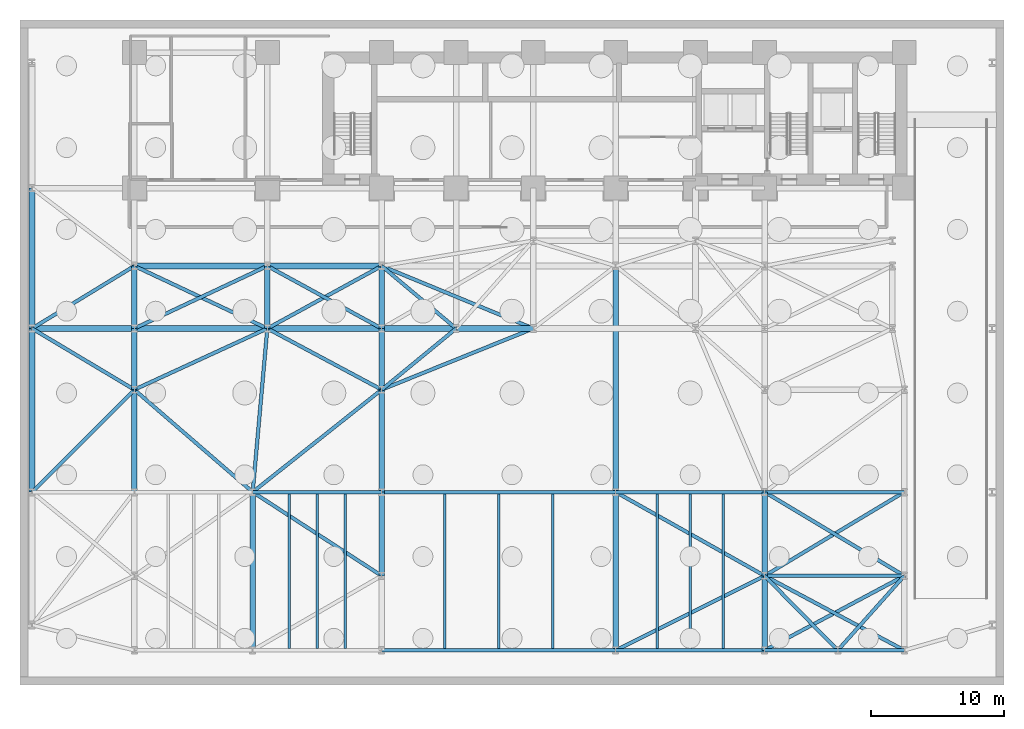
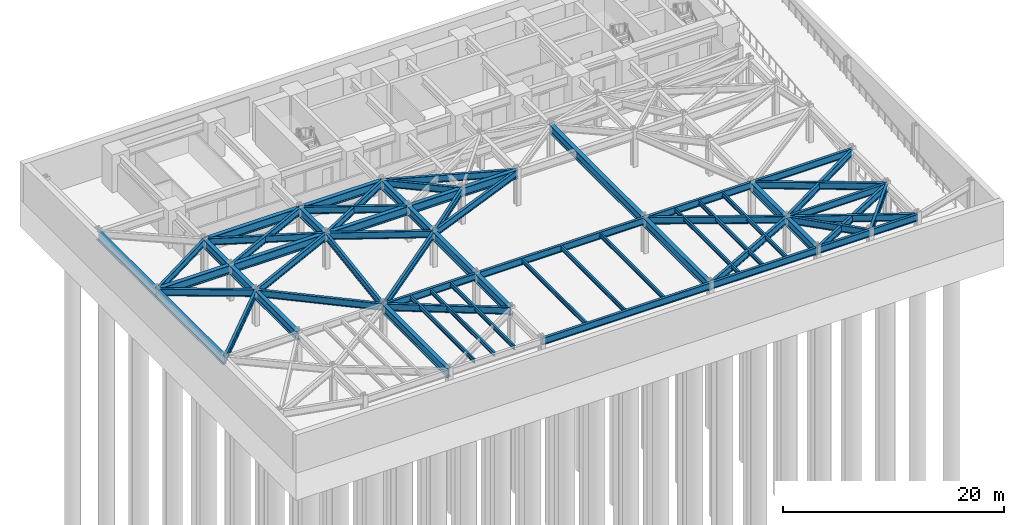
# One storey, part 2 of 12: 65 beams.
"""IFC4 building model written with IfcOpenShell, lengths in metres."""

from ifc_helpers import new_model, si_unit, direction, frame, origin, origin_2d, place, context, subcontext, project, spatial, i_section, extrude, material, material_profile, profile_set, type_object, element, save


model = new_model("IFC4")

# Units and contexts
model_context = context("Model", 3, precision=1e-05, world=origin(), true_north=direction((0.0, 1.0)))
body_context = subcontext(model_context, "Body", "Model", "MODEL_VIEW")
ifc_project = project(units=[si_unit("LENGTHUNIT", "METRE"), si_unit("AREAUNIT", "SQUARE_METRE"), si_unit("VOLUMEUNIT", "CUBIC_METRE"), si_unit("PLANEANGLEUNIT", "RADIAN"), si_unit("MASSUNIT", "GRAM", prefix="KILO")], contexts=[model_context])

# Site, building, storey
site_placement = place(None, origin())
site = spatial("IfcSite", under=ifc_project, at=site_placement, CompositionType="ELEMENT")
building_placement = place(site_placement, origin())
building = spatial("IfcBuilding", under=site, at=building_placement, Name="Kravanh Interchange Tower", CompositionType="ELEMENT")
storey_placement = place(building_placement, frame((0.0, 0.0, -8.39990234375)))
storey = spatial("IfcBuildingStorey", under=building, at=storey_placement, Name="B2", CompositionType="ELEMENT", Elevation=-8.39990234375)

# Beams
ifc_material_1 = material(Name="Structural Steel S450", Category="steel")
ifc_material_profile_1 = material_profile(ifc_material_1, i_section(OverallWidth=0.423095703125, OverallDepth=0.947998046875, WebThickness=0.02392578125, FlangeThickness=0.042724609375, FilletRadius=0.028076171875, at=origin_2d()), Name="W36X302")
ifc_profile_set_1 = profile_set([ifc_material_profile_1], Name="Structural Steel S450")
beam_type_1 = type_object("IfcBeamType", Name="Floor Beam W36X302 Structural Steel S450", PredefinedType="BEAM", material=ifc_profile_set_1)
for number, where, z_axis, x_axis, name in (
    (1, (17.5, 2.60009765625, 3.42578125), (0.0, 1.0, 0.0), (-1.0, 0.0, 0.0), "B2 Primary Floor Girder 7"),
    (2, (44.800048828125, 2.60009765625, 3.42578125), (0.0, 1.0, 0.0), (-1.0, 0.0, 0.0), "B2 Primary Floor Girder 11"),
):
    element("IfcBeam", number, at=place(storey_placement, frame(where, z_axis=z_axis, x_axis=x_axis)), inside=storey, type_object=beam_type_1, Name=name, PredefinedType="BEAM", context=body_context, shape_type="SweptSolid", body=[
        extrude(i_section(OverallWidth=0.423095703125, OverallDepth=0.947998046875, WebThickness=0.02392578125, FlangeThickness=0.042724609375, FilletRadius=0.028076171875, at=origin_2d()), origin(), (0.0, 0.0, 1.0), 11.89990234375),
    ])
beam_1_placement = place(storey_placement, frame((56.0, 2.60009765625, 3.42578125), z_axis=(0.0, 1.0, 0.0), x_axis=(-1.0, 0.0, 0.0)))
element("IfcBeam", 3, at=beam_1_placement, inside=storey, type_object=beam_type_1, Name="B2 Primary Floor Girder 14", PredefinedType="BEAM", context=body_context, shape_type="SweptSolid", body=[
    extrude(i_section(OverallWidth=0.423095703125, OverallDepth=0.947998046875, WebThickness=0.02392578125, FlangeThickness=0.042724609375, FilletRadius=0.028076171875, at=origin_2d()), origin(), (0.0, 0.0, 1.0), 5.599853515625),
])
for number, where, z_axis, x_axis, name in (
    (4, (27.199951171875, 8.199951171875, 3.42578125), (0.0, 1.0, 0.0), (-1.0, 0.0, 0.0), "B2 Primary Floor Girder 27"),
    (5, (56.0, 8.199951171875, 3.42578125), (0.0, 1.0, 0.0), (-1.0, 0.0, 0.0), "B2 Primary Floor Girder 29"),
):
    element("IfcBeam", number, at=place(storey_placement, frame(where, z_axis=z_axis, x_axis=x_axis)), inside=storey, type_object=beam_type_1, Name=name, PredefinedType="BEAM", context=body_context, shape_type="SweptSolid", body=[
        extrude(i_section(OverallWidth=0.423095703125, OverallDepth=0.947998046875, WebThickness=0.02392578125, FlangeThickness=0.042724609375, FilletRadius=0.028076171875, at=origin_2d()), origin(), (0.0, 0.0, 1.0), 6.300048828125),
    ])
for number, where, z_axis, x_axis, name in (
    (6, (8.60009765625, 14.5, 3.42578125), (0.0, 1.0, 0.0), (-1.0, 0.0, 0.0), "B2 Primary Floor Girder 37"),
    (7, (27.199951171875, 14.5, 3.42578125), (0.0, 1.0, 0.0), (-1.0, 0.0, 0.0), "B2 Primary Floor Girder 45"),
):
    element("IfcBeam", number, at=place(storey_placement, frame(where, z_axis=z_axis, x_axis=x_axis)), inside=storey, type_object=beam_type_1, Name=name, PredefinedType="BEAM", context=body_context, shape_type="SweptSolid", body=[
        extrude(i_section(OverallWidth=0.423095703125, OverallDepth=0.947998046875, WebThickness=0.02392578125, FlangeThickness=0.042724609375, FilletRadius=0.028076171875, at=origin_2d()), origin(), (0.0, 0.0, 1.0), 7.699951171875),
    ])
beam_2_placement = place(storey_placement, frame((44.800048828125, 14.5, 3.42578125), z_axis=(0.0, 1.0, 0.0), x_axis=(-1.0, 0.0, 0.0)))
element("IfcBeam", 8, at=beam_2_placement, inside=storey, type_object=beam_type_1, Name="B2 Primary Floor Girder 48", PredefinedType="BEAM", context=body_context, shape_type="SweptSolid", body=[
    extrude(i_section(OverallWidth=0.423095703125, OverallDepth=0.947998046875, WebThickness=0.02392578125, FlangeThickness=0.042724609375, FilletRadius=0.028076171875, at=origin_2d()), origin(), (0.0, 0.0, 1.0), 17.0),
])
for number, where, z_axis, x_axis, name in (
    (9, (8.60009765625, 22.199951171875, 3.42578125), (0.0, 1.0, 0.0), (-1.0, 0.0, 0.0), "B2 Primary Floor Girder 57"),
    (10, (27.199951171875, 22.199951171875, 3.42578125), (0.0, 1.0, 0.0), (-1.0, 0.0, 0.0), "B2 Primary Floor Girder 61"),
):
    element("IfcBeam", number, at=place(storey_placement, frame(where, z_axis=z_axis, x_axis=x_axis)), inside=storey, type_object=beam_type_1, Name=name, PredefinedType="BEAM", context=body_context, shape_type="SweptSolid", body=[
        extrude(i_section(OverallWidth=0.423095703125, OverallDepth=0.947998046875, WebThickness=0.02392578125, FlangeThickness=0.042724609375, FilletRadius=0.028076171875, at=origin_2d()), origin(), (0.0, 0.0, 1.0), 4.60009765625),
    ])
beam_3_placement = place(storey_placement, frame((8.60009765625, 26.800048828125, 3.42578125), z_axis=(0.0, 1.0, 0.0), x_axis=(-1.0, 0.0, 0.0)))
element("IfcBeam", 11, at=beam_3_placement, inside=storey, type_object=beam_type_1, Name="B2 Primary Floor Girder 73", PredefinedType="BEAM", context=body_context, shape_type="SweptSolid", body=[
    extrude(i_section(OverallWidth=0.423095703125, OverallDepth=0.947998046875, WebThickness=0.02392578125, FlangeThickness=0.042724609375, FilletRadius=0.028076171875, at=origin_2d()), origin(), (0.0, 0.0, 1.0), 4.699951171875),
])
beam_4_placement = place(storey_placement, frame((8.60009765625, 26.800048828125, 3.42578125), z_axis=(-1.0, 0.0, 0.0), x_axis=(0.0, -1.0, 0.0)))
element("IfcBeam", 12, at=beam_4_placement, inside=storey, type_object=beam_type_1, Name="B2 Primary Floor Girder 74", PredefinedType="BEAM", context=body_context, shape_type="SweptSolid", body=[
    extrude(i_section(OverallWidth=0.423095703125, OverallDepth=0.947998046875, WebThickness=0.02392578125, FlangeThickness=0.042724609375, FilletRadius=0.028076171875, at=origin_2d()), origin(), (0.0, 0.0, 1.0), 7.7001953125),
])
beam_5_placement = place(storey_placement, frame((8.60009765625, 26.800048828125, 3.42578125), z_axis=(1.0, 0.0, 0.0), x_axis=(0.0, 1.0, 0.0)))
element("IfcBeam", 13, at=beam_5_placement, inside=storey, type_object=beam_type_1, Name="B2 Primary Floor Girder 75", PredefinedType="BEAM", context=body_context, shape_type="SweptSolid", body=[
    extrude(i_section(OverallWidth=0.423095703125, OverallDepth=0.947998046875, WebThickness=0.02392578125, FlangeThickness=0.042724609375, FilletRadius=0.028076171875, at=origin_2d()), origin(), (0.0, 0.0, 1.0), 10.0),
])
beam_6_placement = place(storey_placement, frame((18.60009765625, 26.800048828125, 3.42578125), z_axis=(0.0, 1.0, 0.0), x_axis=(-1.0, 0.0, 0.0)))
element("IfcBeam", 14, at=beam_6_placement, inside=storey, type_object=beam_type_1, Name="B2 Primary Floor Girder 77", PredefinedType="BEAM", context=body_context, shape_type="SweptSolid", body=[
    extrude(i_section(OverallWidth=0.423095703125, OverallDepth=0.947998046875, WebThickness=0.02392578125, FlangeThickness=0.042724609375, FilletRadius=0.028076171875, at=origin_2d()), origin(), (0.0, 0.0, 1.0), 4.699951171875),
])
beam_7_placement = place(storey_placement, frame((18.60009765625, 26.800048828125, 3.42578125), z_axis=(1.0, 0.0, 0.0), x_axis=(0.0, 1.0, 0.0)))
element("IfcBeam", 15, at=beam_7_placement, inside=storey, type_object=beam_type_1, Name="B2 Primary Floor Girder 78", PredefinedType="BEAM", context=body_context, shape_type="SweptSolid", body=[
    extrude(i_section(OverallWidth=0.423095703125, OverallDepth=0.947998046875, WebThickness=0.02392578125, FlangeThickness=0.042724609375, FilletRadius=0.028076171875, at=origin_2d()), origin(), (0.0, 0.0, 1.0), 8.599853515625),
])
beam_8_placement = place(storey_placement, frame((27.199951171875, 26.800048828125, 3.42578125), z_axis=(0.0, 1.0, 0.0), x_axis=(-1.0, 0.0, 0.0)))
element("IfcBeam", 16, at=beam_8_placement, inside=storey, type_object=beam_type_1, Name="B2 Primary Floor Girder 81", PredefinedType="BEAM", context=body_context, shape_type="SweptSolid", body=[
    extrude(i_section(OverallWidth=0.423095703125, OverallDepth=0.947998046875, WebThickness=0.02392578125, FlangeThickness=0.042724609375, FilletRadius=0.028076171875, at=origin_2d()), origin(), (0.0, 0.0, 1.0), 4.699951171875),
])
beam_9_placement = place(storey_placement, frame((27.199951171875, 26.800048828125, 3.42578125), z_axis=(1.0, 0.0, 0.0), x_axis=(0.0, 1.0, 0.0)))
element("IfcBeam", 17, at=beam_9_placement, inside=storey, type_object=beam_type_1, Name="B2 Primary Floor Girder 82", PredefinedType="BEAM", context=body_context, shape_type="SweptSolid", body=[
    extrude(i_section(OverallWidth=0.423095703125, OverallDepth=0.947998046875, WebThickness=0.02392578125, FlangeThickness=0.042724609375, FilletRadius=0.028076171875, at=origin_2d()), origin(), (0.0, 0.0, 1.0), 5.60009765625),
])
beam_10_placement = place(storey_placement, frame((32.800048828125, 26.800048828125, 3.42578125), z_axis=(1.0, 0.0, 0.0), x_axis=(0.0, 1.0, 0.0)))
element("IfcBeam", 18, at=beam_10_placement, inside=storey, type_object=beam_type_1, Name="B2 Primary Floor Girder 85", PredefinedType="BEAM", context=body_context, shape_type="SweptSolid", body=[
    extrude(i_section(OverallWidth=0.423095703125, OverallDepth=0.947998046875, WebThickness=0.02392578125, FlangeThickness=0.042724609375, FilletRadius=0.028076171875, at=origin_2d()), origin(), (0.0, 0.0, 1.0), 5.800048828125),
])
beam_11_placement = place(storey_placement, frame((8.60009765625, 31.5, 3.42578125), z_axis=(1.0, 0.0, 0.0), x_axis=(0.0, 1.0, 0.0)))
element("IfcBeam", 19, at=beam_11_placement, inside=storey, type_object=beam_type_1, Name="B2 Primary Floor Girder 107", PredefinedType="BEAM", context=body_context, shape_type="SweptSolid", body=[
    extrude(i_section(OverallWidth=0.423095703125, OverallDepth=0.947998046875, WebThickness=0.02392578125, FlangeThickness=0.042724609375, FilletRadius=0.028076171875, at=origin_2d()), origin(), (0.0, 0.0, 1.0), 10.0),
])
beam_12_placement = place(storey_placement, frame((18.60009765625, 31.5, 3.42578125), z_axis=(1.0, 0.0, 0.0), x_axis=(0.0, 1.0, 0.0)))
element("IfcBeam", 20, at=beam_12_placement, inside=storey, type_object=beam_type_1, Name="B2 Primary Floor Girder 109", PredefinedType="BEAM", context=body_context, shape_type="SweptSolid", body=[
    extrude(i_section(OverallWidth=0.423095703125, OverallDepth=0.947998046875, WebThickness=0.02392578125, FlangeThickness=0.042724609375, FilletRadius=0.028076171875, at=origin_2d()), origin(), (0.0, 0.0, 1.0), 8.599853515625),
])
beam_13_placement = place(storey_placement, frame((0.89990234375, 14.5, 3.42578125), z_axis=(0.0, 1.0, 0.0), x_axis=(-1.0, 0.0, 0.0)))
element("IfcBeam", 21, at=beam_13_placement, inside=storey, type_object=beam_type_1, Name="B2 Primary Floor Girder 123", PredefinedType="BEAM", context=body_context, shape_type="SweptSolid", body=[
    extrude(i_section(OverallWidth=0.423095703125, OverallDepth=0.947998046875, WebThickness=0.02392578125, FlangeThickness=0.042724609375, FilletRadius=0.028076171875, at=origin_2d()), origin(), (0.0, 0.0, 1.0), 12.300048828125),
])
beam_14_placement = place(storey_placement, frame((0.89990234375, 26.800048828125, 3.42578125), z_axis=(0.0, 1.0, 0.0), x_axis=(-1.0, 0.0, 0.0)))
element("IfcBeam", 22, at=beam_14_placement, inside=storey, type_object=beam_type_1, Name="B2 Primary Floor Girder 124", PredefinedType="BEAM", context=body_context, shape_type="SweptSolid", body=[
    extrude(i_section(OverallWidth=0.423095703125, OverallDepth=0.947998046875, WebThickness=0.02392578125, FlangeThickness=0.042724609375, FilletRadius=0.028076171875, at=origin_2d()), origin(), (0.0, 0.0, 1.0), 10.550048828125),
])
ifc_material_2 = material(Name="Structural Steel S355", Category="steel")
ifc_material_profile_2 = material_profile(ifc_material_2, i_section(OverallWidth=0.18994140625, OverallDepth=0.45703125, WebThickness=0.009033203125, FlangeThickness=0.014404296875, FilletRadius=0.01806640625, at=origin_2d()), Name="W18X50")
ifc_profile_set_2 = profile_set([ifc_material_profile_2], Name="Structural Steel S355")
beam_type_2 = type_object("IfcBeamType", Name="Floor Joist W18X50 Structural Steel S355", PredefinedType="JOIST", material=ifc_profile_set_2)
for number, where, z_axis, x_axis, name in (
    (23, (20.25, 2.728515625, 3.67138671875), (0.0, 1.0, 0.0), (-1.0, 0.0, 0.0), "B2 Secondary Floor Joist 4"),
    (24, (22.35009765625, 2.728515625, 3.67138671875), (0.0, 1.0, 0.0), (-1.0, 0.0, 0.0), "B2 Secondary Floor Joist 5"),
    (25, (24.449951171875, 2.728515625, 3.67138671875), (0.0, 1.0, 0.0), (-1.0, 0.0, 0.0), "B2 Secondary Floor Joist 6"),
    (26, (31.925048828125, 2.728515625, 3.67138671875), (0.0, 1.0, 0.0), (-1.0, 0.0, 0.0), "B2 Secondary Floor Joist 7"),
    (27, (36.0, 2.728515625, 3.67138671875), (0.0, 1.0, 0.0), (-1.0, 0.0, 0.0), "B2 Secondary Floor Joist 8"),
    (28, (40.074951171875, 2.728515625, 3.67138671875), (0.0, 1.0, 0.0), (-1.0, 0.0, 0.0), "B2 Secondary Floor Joist 9"),
    (29, (47.925048828125, 2.728515625, 3.67138671875), (0.0, 1.0, 0.0), (-1.0, 0.0, 0.0), "B2 Secondary Floor Joist 10"),
    (30, (50.39990234375, 2.728515625, 3.67138671875), (0.0, 1.0, 0.0), (-1.0, 0.0, 0.0), "B2 Secondary Floor Joist 11"),
    (31, (52.875, 2.728515625, 3.67138671875), (0.0, 1.0, 0.0), (-1.0, 0.0, 0.0), "B2 Secondary Floor Joist 12"),
):
    element("IfcBeam", number, at=place(storey_placement, frame(where, z_axis=z_axis, x_axis=x_axis)), inside=storey, type_object=beam_type_2, Name=name, PredefinedType="JOIST", context=body_context, shape_type="SweptSolid", body=[
        extrude(i_section(OverallWidth=0.18994140625, OverallDepth=0.45703125, WebThickness=0.009033203125, FlangeThickness=0.014404296875, FilletRadius=0.01806640625, at=origin_2d()), origin(), (0.0, 0.0, 1.0), 11.64306640625),
    ])
ifc_material_3 = material(Name="Structural Steel S355", Category="steel")
ifc_material_profile_3 = material_profile(ifc_material_3, i_section(OverallWidth=0.26708984375, OverallDepth=0.761962890625, WebThickness=0.014404296875, FlangeThickness=0.021484375, FilletRadius=0.02490234375, at=origin_2d()), Name="W30X116")
ifc_profile_set_3 = profile_set([ifc_material_profile_3], Name="Structural Steel S355")
beam_type_3 = type_object("IfcBeamType", Name="Floor Spandrel W30X116 Structural Steel S355", PredefinedType="SPANDREL", material=ifc_profile_set_3)
beam_15_placement = place(storey_placement, frame((27.199951171875, 2.60009765625, 3.518798828125), z_axis=(1.0, 0.0, 0.0), x_axis=(0.0, 1.0, 0.0)))
element("IfcBeam", 32, at=beam_15_placement, inside=storey, type_object=beam_type_3, Name="B2 Perimeter Spandrel 9", PredefinedType="SPANDREL", context=body_context, shape_type="SweptSolid", body=[
    extrude(i_section(OverallWidth=0.26708984375, OverallDepth=0.761962890625, WebThickness=0.014404296875, FlangeThickness=0.021484375, FilletRadius=0.02490234375, at=origin_2d()), origin(), (0.0, 0.0, 1.0), 17.60009765625),
])
beam_16_placement = place(storey_placement, frame((44.800048828125, 2.60009765625, 3.518798828125), z_axis=(1.0, 0.0, 0.0), x_axis=(0.0, 1.0, 0.0)))
element("IfcBeam", 33, at=beam_16_placement, inside=storey, type_object=beam_type_3, Name="B2 Perimeter Spandrel 10", PredefinedType="SPANDREL", context=body_context, shape_type="SweptSolid", body=[
    extrude(i_section(OverallWidth=0.26708984375, OverallDepth=0.761962890625, WebThickness=0.014404296875, FlangeThickness=0.021484375, FilletRadius=0.02490234375, at=origin_2d()), origin(), (0.0, 0.0, 1.0), 11.199951171875),
])
beam_17_placement = place(storey_placement, frame((44.800048828125, 2.60009765625, 3.518798828125), z_axis=(0.894431090393, 0.447205796629, 0.0), x_axis=(-0.447205796629, 0.894431090393, 0.0)))
element("IfcBeam", 34, at=beam_17_placement, inside=storey, type_object=beam_type_3, Name="B2 Perimeter Spandrel 12", PredefinedType="SPANDREL", context=body_context, shape_type="SweptSolid", body=[
    extrude(i_section(OverallWidth=0.26708984375, OverallDepth=0.761962890625, WebThickness=0.014404296875, FlangeThickness=0.021484375, FilletRadius=0.02490234375, at=origin_2d()), origin(), (0.0, 0.0, 1.0), 12.52197265625),
])
beam_18_placement = place(storey_placement, frame((56.0, 2.60009765625, 3.518798828125), z_axis=(1.0, 0.0, 0.0), x_axis=(0.0, 1.0, 0.0)))
element("IfcBeam", 35, at=beam_18_placement, inside=storey, type_object=beam_type_3, Name="B2 Perimeter Spandrel 13", PredefinedType="SPANDREL", context=body_context, shape_type="SweptSolid", body=[
    extrude(i_section(OverallWidth=0.26708984375, OverallDepth=0.761962890625, WebThickness=0.014404296875, FlangeThickness=0.021484375, FilletRadius=0.02490234375, at=origin_2d()), origin(), (0.0, 0.0, 1.0), 5.5),
])
beam_19_placement = place(storey_placement, frame((56.0, 2.60009765625, 3.518798828125), z_axis=(0.882358052411, 0.470578651603, 0.0), x_axis=(-0.470578651603, 0.882358052411, 0.0)))
element("IfcBeam", 36, at=beam_19_placement, inside=storey, type_object=beam_type_3, Name="B2 Perimeter Spandrel 15", PredefinedType="SPANDREL", context=body_context, shape_type="SweptSolid", body=[
    extrude(i_section(OverallWidth=0.26708984375, OverallDepth=0.761962890625, WebThickness=0.014404296875, FlangeThickness=0.021484375, FilletRadius=0.02490234375, at=origin_2d()), origin(), (0.0, 0.0, 1.0), 11.89990234375),
])
beam_20_placement = place(storey_placement, frame((61.5, 2.60009765625, 3.518798828125), z_axis=(1.0, 0.0, 0.0), x_axis=(0.0, 1.0, 0.0)))
element("IfcBeam", 37, at=beam_20_placement, inside=storey, type_object=beam_type_3, Name="B2 Perimeter Spandrel 16", PredefinedType="SPANDREL", context=body_context, shape_type="SweptSolid", body=[
    extrude(i_section(OverallWidth=0.26708984375, OverallDepth=0.761962890625, WebThickness=0.014404296875, FlangeThickness=0.021484375, FilletRadius=0.02490234375, at=origin_2d()), origin(), (0.0, 0.0, 1.0), 5.0),
])
beam_21_placement = place(storey_placement, frame((61.5, 2.60009765625, 3.518798828125), z_axis=(0.666025463167, 0.745929006282, 0.0), x_axis=(-0.745929006282, 0.666025463167, 0.0)))
element("IfcBeam", 38, at=beam_21_placement, inside=storey, type_object=beam_type_3, Name="B2 Perimeter Spandrel 17", PredefinedType="SPANDREL", context=body_context, shape_type="SweptSolid", body=[
    extrude(i_section(OverallWidth=0.26708984375, OverallDepth=0.761962890625, WebThickness=0.014404296875, FlangeThickness=0.021484375, FilletRadius=0.02490234375, at=origin_2d()), origin(), (0.0, 0.0, 1.0), 7.50732421875),
])
beam_22_placement = place(storey_placement, frame((61.5, 2.60009765625, 3.518798828125), z_axis=(-0.700717344595, 0.71343899738, 0.0), x_axis=(-0.71343899738, -0.700717344595, 0.0)))
element("IfcBeam", 39, at=beam_22_placement, inside=storey, type_object=beam_type_3, Name="B2 Perimeter Spandrel 18", PredefinedType="SPANDREL", context=body_context, shape_type="SweptSolid", body=[
    extrude(i_section(OverallWidth=0.26708984375, OverallDepth=0.761962890625, WebThickness=0.014404296875, FlangeThickness=0.021484375, FilletRadius=0.02490234375, at=origin_2d()), origin(), (0.0, 0.0, 1.0), 7.84912109375),
])
beam_23_placement = place(storey_placement, frame((66.5, 2.60009765625, 3.518798828125), z_axis=(-0.882358052411, 0.470578651603, 0.0), x_axis=(-0.470578651603, -0.882358052411, 0.0)))
element("IfcBeam", 40, at=beam_23_placement, inside=storey, type_object=beam_type_3, Name="B2 Perimeter Spandrel 22", PredefinedType="SPANDREL", context=body_context, shape_type="SweptSolid", body=[
    extrude(i_section(OverallWidth=0.26708984375, OverallDepth=0.761962890625, WebThickness=0.014404296875, FlangeThickness=0.021484375, FilletRadius=0.02490234375, at=origin_2d()), origin(), (0.0, 0.0, 1.0), 11.89990234375),
])
beam_24_placement = place(storey_placement, frame((27.199951171875, 8.199951171875, 3.518798828125), z_axis=(-0.838637911458, 0.544689318295, 0.0), x_axis=(-0.544689318295, -0.838637911458, 0.0)))
element("IfcBeam", 41, at=beam_24_placement, inside=storey, type_object=beam_type_3, Name="B2 Perimeter Spandrel 28", PredefinedType="SPANDREL", context=body_context, shape_type="SweptSolid", body=[
    extrude(i_section(OverallWidth=0.26708984375, OverallDepth=0.761962890625, WebThickness=0.014404296875, FlangeThickness=0.021484375, FilletRadius=0.02490234375, at=origin_2d()), origin(), (0.0, 0.0, 1.0), 11.56640625),
])
beam_25_placement = place(storey_placement, frame((56.0, 8.199951171875, 3.518798828125), z_axis=(1.0, 0.0, 0.0), x_axis=(0.0, 1.0, 0.0)))
element("IfcBeam", 42, at=beam_25_placement, inside=storey, type_object=beam_type_3, Name="B2 Perimeter Spandrel 30", PredefinedType="SPANDREL", context=body_context, shape_type="SweptSolid", body=[
    extrude(i_section(OverallWidth=0.26708984375, OverallDepth=0.761962890625, WebThickness=0.014404296875, FlangeThickness=0.021484375, FilletRadius=0.02490234375, at=origin_2d()), origin(), (0.0, 0.0, 1.0), 10.5),
])
beam_26_placement = place(storey_placement, frame((56.0, 8.199951171875, 3.518798828125), z_axis=(0.857491166477, 0.514498687475, 0.0), x_axis=(-0.514498687475, 0.857491166477, 0.0)))
element("IfcBeam", 43, at=beam_26_placement, inside=storey, type_object=beam_type_3, Name="B2 Perimeter Spandrel 31", PredefinedType="SPANDREL", context=body_context, shape_type="SweptSolid", body=[
    extrude(i_section(OverallWidth=0.26708984375, OverallDepth=0.761962890625, WebThickness=0.014404296875, FlangeThickness=0.021484375, FilletRadius=0.02490234375, at=origin_2d()), origin(), (0.0, 0.0, 1.0), 12.2451171875),
])
beam_27_placement = place(storey_placement, frame((56.0, 8.199951171875, 3.518798828125), z_axis=(-0.871573000172, 0.490265749743, 0.0), x_axis=(-0.490265749743, -0.871573000172, 0.0)))
element("IfcBeam", 44, at=beam_27_placement, inside=storey, type_object=beam_type_3, Name="B2 Perimeter Spandrel 32", PredefinedType="SPANDREL", context=body_context, shape_type="SweptSolid", body=[
    extrude(i_section(OverallWidth=0.26708984375, OverallDepth=0.761962890625, WebThickness=0.014404296875, FlangeThickness=0.021484375, FilletRadius=0.02490234375, at=origin_2d()), origin(), (0.0, 0.0, 1.0), 12.850341796875),
])
beam_28_placement = place(storey_placement, frame((66.5, 8.199951171875, 3.518798828125), z_axis=(-0.857491166477, 0.514498687475, 0.0), x_axis=(-0.514498687475, -0.857491166477, 0.0)))
element("IfcBeam", 45, at=beam_28_placement, inside=storey, type_object=beam_type_3, Name="B2 Perimeter Spandrel 36", PredefinedType="SPANDREL", context=body_context, shape_type="SweptSolid", body=[
    extrude(i_section(OverallWidth=0.26708984375, OverallDepth=0.761962890625, WebThickness=0.014404296875, FlangeThickness=0.021484375, FilletRadius=0.02490234375, at=origin_2d()), origin(), (0.0, 0.0, 1.0), 12.2451171875),
])
beam_29_placement = place(storey_placement, frame((17.5, 14.5, 3.518798828125), z_axis=(1.0, 0.0, 0.0), x_axis=(0.0, 1.0, 0.0)))
element("IfcBeam", 46, at=beam_29_placement, inside=storey, type_object=beam_type_3, Name="B2 Perimeter Spandrel 41", PredefinedType="SPANDREL", context=body_context, shape_type="SweptSolid", body=[
    extrude(i_section(OverallWidth=0.26708984375, OverallDepth=0.761962890625, WebThickness=0.014404296875, FlangeThickness=0.021484375, FilletRadius=0.02490234375, at=origin_2d()), origin(), (0.0, 0.0, 1.0), 9.699951171875),
])
beam_30_placement = place(storey_placement, frame((17.5, 14.5, 3.518798828125), z_axis=(-0.756248034465, 0.654285037554, 0.0), x_axis=(-0.654285037554, -0.756248034465, 0.0)))
element("IfcBeam", 47, at=beam_30_placement, inside=storey, type_object=beam_type_3, Name="B2 Perimeter Spandrel 42", PredefinedType="SPANDREL", context=body_context, shape_type="SweptSolid", body=[
    extrude(i_section(OverallWidth=0.26708984375, OverallDepth=0.761962890625, WebThickness=0.014404296875, FlangeThickness=0.021484375, FilletRadius=0.02490234375, at=origin_2d()), origin(), (0.0, 0.0, 1.0), 11.7685546875),
])
beam_31_placement = place(storey_placement, frame((17.5, 14.5, 3.518798828125), z_axis=(0.089082890706, 0.996024215862, 0.0), x_axis=(-0.996024215862, 0.089082890706, 0.0)))
element("IfcBeam", 48, at=beam_31_placement, inside=storey, type_object=beam_type_3, Name="B2 Perimeter Spandrel 43", PredefinedType="SPANDREL", context=body_context, shape_type="SweptSolid", body=[
    extrude(i_section(OverallWidth=0.26708984375, OverallDepth=0.761962890625, WebThickness=0.014404296875, FlangeThickness=0.021484375, FilletRadius=0.02490234375, at=origin_2d()), origin(), (0.0, 0.0, 1.0), 12.34912109375),
])
beam_32_placement = place(storey_placement, frame((17.5, 14.5, 3.518798828125), z_axis=(0.78322688578, 0.621735993321, 0.0), x_axis=(-0.621735993321, 0.78322688578, 0.0)))
element("IfcBeam", 49, at=beam_32_placement, inside=storey, type_object=beam_type_3, Name="B2 Perimeter Spandrel 44", PredefinedType="SPANDREL", context=body_context, shape_type="SweptSolid", body=[
    extrude(i_section(OverallWidth=0.26708984375, OverallDepth=0.761962890625, WebThickness=0.014404296875, FlangeThickness=0.021484375, FilletRadius=0.02490234375, at=origin_2d()), origin(), (0.0, 0.0, 1.0), 12.384521484375),
])
beam_33_placement = place(storey_placement, frame((27.199951171875, 14.5, 3.518798828125), z_axis=(1.0, 0.0, 0.0), x_axis=(0.0, 1.0, 0.0)))
element("IfcBeam", 50, at=beam_33_placement, inside=storey, type_object=beam_type_3, Name="B2 Perimeter Spandrel 46", PredefinedType="SPANDREL", context=body_context, shape_type="SweptSolid", body=[
    extrude(i_section(OverallWidth=0.26708984375, OverallDepth=0.761962890625, WebThickness=0.014404296875, FlangeThickness=0.021484375, FilletRadius=0.02490234375, at=origin_2d()), origin(), (0.0, 0.0, 1.0), 17.60009765625),
])
beam_34_placement = place(storey_placement, frame((44.800048828125, 14.5, 3.518798828125), z_axis=(1.0, 0.0, 0.0), x_axis=(0.0, 1.0, 0.0)))
element("IfcBeam", 51, at=beam_34_placement, inside=storey, type_object=beam_type_3, Name="B2 Perimeter Spandrel 47", PredefinedType="SPANDREL", context=body_context, shape_type="SweptSolid", body=[
    extrude(i_section(OverallWidth=0.26708984375, OverallDepth=0.761962890625, WebThickness=0.014404296875, FlangeThickness=0.021484375, FilletRadius=0.02490234375, at=origin_2d()), origin(), (0.0, 0.0, 1.0), 11.199951171875),
])
beam_35_placement = place(storey_placement, frame((56.0, 14.5, 3.518798828125), z_axis=(1.0, 0.0, 0.0), x_axis=(0.0, 1.0, 0.0)))
element("IfcBeam", 52, at=beam_35_placement, inside=storey, type_object=beam_type_3, Name="B2 Perimeter Spandrel 50", PredefinedType="SPANDREL", context=body_context, shape_type="SweptSolid", body=[
    extrude(i_section(OverallWidth=0.26708984375, OverallDepth=0.761962890625, WebThickness=0.014404296875, FlangeThickness=0.021484375, FilletRadius=0.02490234375, at=origin_2d()), origin(), (0.0, 0.0, 1.0), 10.5),
])
beam_36_placement = place(storey_placement, frame((8.60009765625, 22.199951171875, 3.518798828125), z_axis=(-0.858476029739, 0.512853689041, 0.0), x_axis=(-0.512853689041, -0.858476029739, 0.0)))
element("IfcBeam", 53, at=beam_36_placement, inside=storey, type_object=beam_type_3, Name="B2 Perimeter Spandrel 58", PredefinedType="SPANDREL", context=body_context, shape_type="SweptSolid", body=[
    extrude(i_section(OverallWidth=0.26708984375, OverallDepth=0.761962890625, WebThickness=0.014404296875, FlangeThickness=0.021484375, FilletRadius=0.02490234375, at=origin_2d()), origin(), (0.0, 0.0, 1.0), 8.9697265625),
])
beam_37_placement = place(storey_placement, frame((8.60009765625, 22.199951171875, 3.518798828125), z_axis=(-0.707117990958, -0.707095571237, 0.0), x_axis=(0.707095571237, -0.707117990958, 0.0)))
element("IfcBeam", 54, at=beam_37_placement, inside=storey, type_object=beam_type_3, Name="B2 Perimeter Spandrel 59", PredefinedType="SPANDREL", context=body_context, shape_type="SweptSolid", body=[
    extrude(i_section(OverallWidth=0.26708984375, OverallDepth=0.761962890625, WebThickness=0.014404296875, FlangeThickness=0.021484375, FilletRadius=0.02490234375, at=origin_2d()), origin(), (0.0, 0.0, 1.0), 10.8896484375),
])
beam_38_placement = place(storey_placement, frame((8.60009765625, 22.199951171875, 3.518798828125), z_axis=(0.908487084298, 0.417912930721, 0.0), x_axis=(-0.417912930721, 0.908487084298, 0.0)))
element("IfcBeam", 55, at=beam_38_placement, inside=storey, type_object=beam_type_3, Name="B2 Perimeter Spandrel 60", PredefinedType="SPANDREL", context=body_context, shape_type="SweptSolid", body=[
    extrude(i_section(OverallWidth=0.26708984375, OverallDepth=0.761962890625, WebThickness=0.014404296875, FlangeThickness=0.021484375, FilletRadius=0.02490234375, at=origin_2d()), origin(), (0.0, 0.0, 1.0), 11.00732421875),
])
beam_39_placement = place(storey_placement, frame((27.199951171875, 22.199951171875, 3.518798828125), z_axis=(0.772725074305, 0.634740860147, 0.0), x_axis=(-0.634740860147, 0.772725074305, 0.0)))
element("IfcBeam", 56, at=beam_39_placement, inside=storey, type_object=beam_type_3, Name="B2 Perimeter Spandrel 62", PredefinedType="SPANDREL", context=body_context, shape_type="SweptSolid", body=[
    extrude(i_section(OverallWidth=0.26708984375, OverallDepth=0.761962890625, WebThickness=0.014404296875, FlangeThickness=0.021484375, FilletRadius=0.02490234375, at=origin_2d()), origin(), (0.0, 0.0, 1.0), 7.247314453125),
])
beam_40_placement = place(storey_placement, frame((27.199951171875, 22.199951171875, 3.518798828125), z_axis=(-0.881777136221, 0.471666282489, 0.0), x_axis=(-0.471666282489, -0.881777136221, 0.0)))
element("IfcBeam", 57, at=beam_40_placement, inside=storey, type_object=beam_type_3, Name="B2 Perimeter Spandrel 63", PredefinedType="SPANDREL", context=body_context, shape_type="SweptSolid", body=[
    extrude(i_section(OverallWidth=0.26708984375, OverallDepth=0.761962890625, WebThickness=0.014404296875, FlangeThickness=0.021484375, FilletRadius=0.02490234375, at=origin_2d()), origin(), (0.0, 0.0, 1.0), 9.7529296875),
])
beam_41_placement = place(storey_placement, frame((27.199951171875, 22.199951171875, 3.518798828125), z_axis=(0.927349344428, 0.374196730864, 0.0), x_axis=(-0.374196730864, 0.927349344428, 0.0)))
element("IfcBeam", 58, at=beam_41_placement, inside=storey, type_object=beam_type_3, Name="B2 Perimeter Spandrel 64", PredefinedType="SPANDREL", context=body_context, shape_type="SweptSolid", body=[
    extrude(i_section(OverallWidth=0.26708984375, OverallDepth=0.761962890625, WebThickness=0.014404296875, FlangeThickness=0.021484375, FilletRadius=0.02490234375, at=origin_2d()), origin(), (0.0, 0.0, 1.0), 12.293212890625),
])
beam_42_placement = place(storey_placement, frame((8.60009765625, 26.800048828125, 3.518798828125), z_axis=(0.905025402916, 0.425357520301, 0.0), x_axis=(-0.425357520301, 0.905025402916, 0.0)))
element("IfcBeam", 59, at=beam_42_placement, inside=storey, type_object=beam_type_3, Name="B2 Perimeter Spandrel 76", PredefinedType="SPANDREL", context=body_context, shape_type="SweptSolid", body=[
    extrude(i_section(OverallWidth=0.26708984375, OverallDepth=0.761962890625, WebThickness=0.014404296875, FlangeThickness=0.021484375, FilletRadius=0.02490234375, at=origin_2d()), origin(), (0.0, 0.0, 1.0), 11.04931640625),
])
beam_43_placement = place(storey_placement, frame((18.60009765625, 26.800048828125, 3.518798828125), z_axis=(0.877503996342, 0.479569323877, 0.0), x_axis=(-0.479569323877, 0.877503996342, 0.0)))
element("IfcBeam", 60, at=beam_43_placement, inside=storey, type_object=beam_type_3, Name="B2 Perimeter Spandrel 79", PredefinedType="SPANDREL", context=body_context, shape_type="SweptSolid", body=[
    extrude(i_section(OverallWidth=0.26708984375, OverallDepth=0.761962890625, WebThickness=0.014404296875, FlangeThickness=0.021484375, FilletRadius=0.02490234375, at=origin_2d()), origin(), (0.0, 0.0, 1.0), 9.80029296875),
])
beam_44_placement = place(storey_placement, frame((18.60009765625, 26.800048828125, 3.518798828125), z_axis=(-0.905025402916, 0.425357520301, 0.0), x_axis=(-0.425357520301, -0.905025402916, 0.0)))
element("IfcBeam", 61, at=beam_44_placement, inside=storey, type_object=beam_type_3, Name="B2 Perimeter Spandrel 80", PredefinedType="SPANDREL", context=body_context, shape_type="SweptSolid", body=[
    extrude(i_section(OverallWidth=0.26708984375, OverallDepth=0.761962890625, WebThickness=0.014404296875, FlangeThickness=0.021484375, FilletRadius=0.02490234375, at=origin_2d()), origin(), (0.0, 0.0, 1.0), 11.04931640625),
])
beam_45_placement = place(storey_placement, frame((27.199951171875, 26.800048828125, 3.518798828125), z_axis=(-0.877503996342, 0.479569323877, 0.0), x_axis=(-0.479569323877, -0.877503996342, 0.0)))
element("IfcBeam", 62, at=beam_45_placement, inside=storey, type_object=beam_type_3, Name="B2 Perimeter Spandrel 83", PredefinedType="SPANDREL", context=body_context, shape_type="SweptSolid", body=[
    extrude(i_section(OverallWidth=0.26708984375, OverallDepth=0.761962890625, WebThickness=0.014404296875, FlangeThickness=0.021484375, FilletRadius=0.02490234375, at=origin_2d()), origin(), (0.0, 0.0, 1.0), 9.80029296875),
])
beam_46_placement = place(storey_placement, frame((32.800048828125, 26.800048828125, 3.518798828125), z_axis=(-0.765983062929, 0.642860752657, 0.0), x_axis=(-0.642860752657, -0.765983062929, 0.0)))
element("IfcBeam", 63, at=beam_46_placement, inside=storey, type_object=beam_type_3, Name="B2 Perimeter Spandrel 86", PredefinedType="SPANDREL", context=body_context, shape_type="SweptSolid", body=[
    extrude(i_section(OverallWidth=0.26708984375, OverallDepth=0.761962890625, WebThickness=0.014404296875, FlangeThickness=0.021484375, FilletRadius=0.02490234375, at=origin_2d()), origin(), (0.0, 0.0, 1.0), 7.31103515625),
])
beam_47_placement = place(storey_placement, frame((38.60009765625, 26.800048828125, 3.518798828125), z_axis=(-0.924513176562, 0.381150083778, 0.0), x_axis=(-0.381150083778, -0.924513176562, 0.0)))
element("IfcBeam", 64, at=beam_47_placement, inside=storey, type_object=beam_type_3, Name="B2 Perimeter Spandrel 92", PredefinedType="SPANDREL", context=body_context, shape_type="SweptSolid", body=[
    extrude(i_section(OverallWidth=0.26708984375, OverallDepth=0.761962890625, WebThickness=0.014404296875, FlangeThickness=0.021484375, FilletRadius=0.02490234375, at=origin_2d()), origin(), (0.0, 0.0, 1.0), 12.3310546875),
])
beam_48_placement = place(storey_placement, frame((8.60009765625, 31.5, 3.518798828125), z_axis=(-0.85356401423, -0.520987978375, 0.0), x_axis=(0.520987978375, -0.85356401423, 0.0)))
element("IfcBeam", 65, at=beam_48_placement, inside=storey, type_object=beam_type_3, Name="B2 Perimeter Spandrel 105", PredefinedType="SPANDREL", context=body_context, shape_type="SweptSolid", body=[
    extrude(i_section(OverallWidth=0.26708984375, OverallDepth=0.761962890625, WebThickness=0.014404296875, FlangeThickness=0.021484375, FilletRadius=0.02490234375, at=origin_2d()), origin(), (0.0, 0.0, 1.0), 9.021240234375),
])

save(model, "model.ifc")
